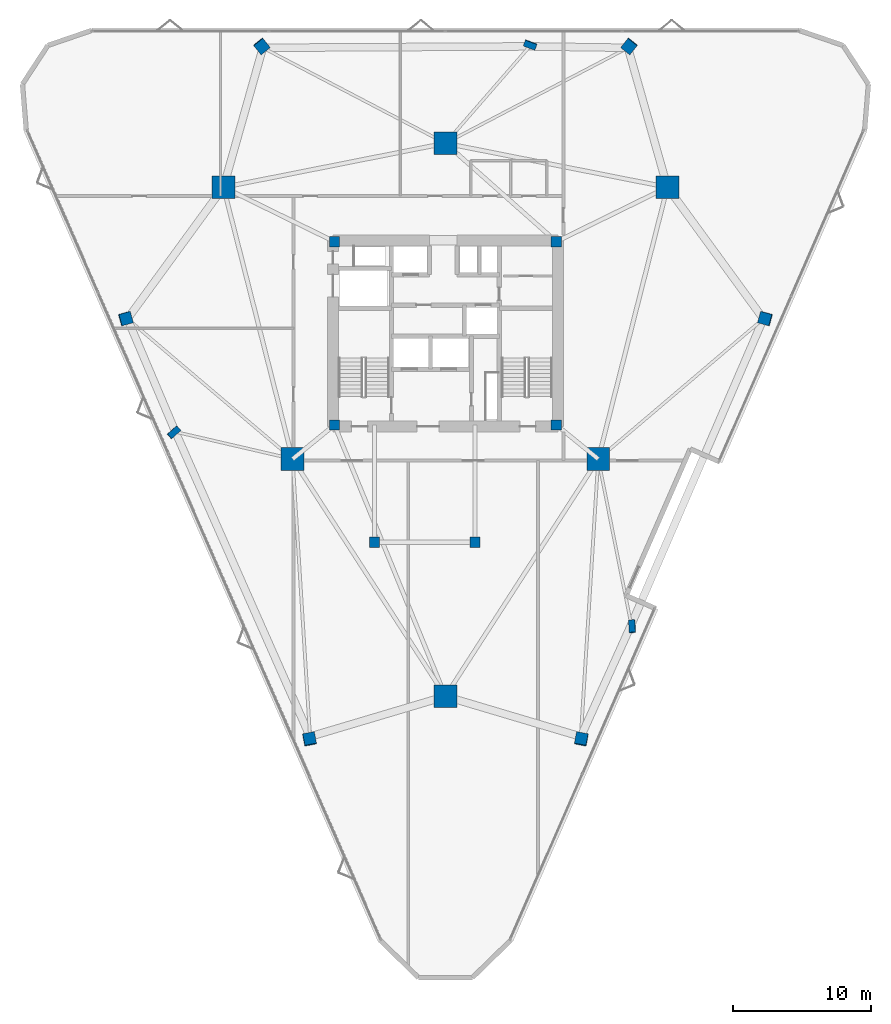
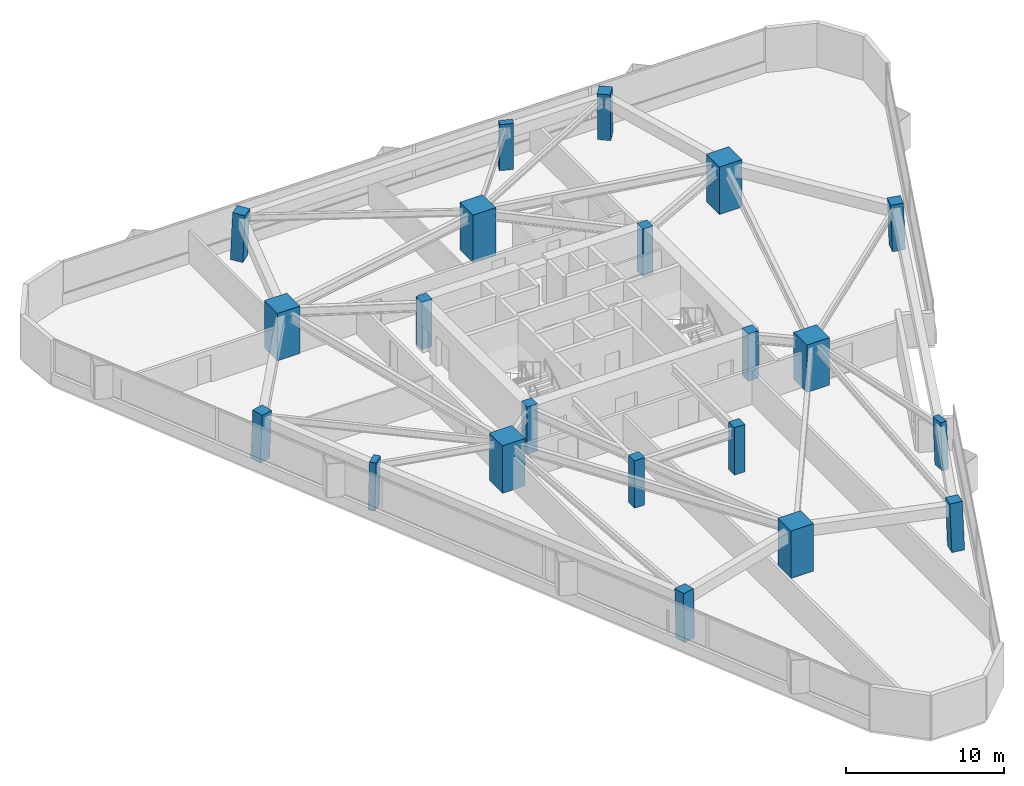
# One storey, part 1 of 13: 21 columns.
"""IFC4 building model written with IfcOpenShell, lengths in metres."""

from ifc_helpers import new_model, si_unit, direction, frame, origin, origin_2d, place, context, subcontext, project, spatial, rectangle, extrude, material, material_profile, profile_set, type_object, element, save


model = new_model("IFC4")

# Units and contexts
model_context = context("Model", 3, precision=1e-05, world=origin(), true_north=direction((0.0, 1.0)))
body_context = subcontext(model_context, "Body", "Model", "MODEL_VIEW")
ifc_project = project(units=[si_unit("LENGTHUNIT", "METRE"), si_unit("AREAUNIT", "SQUARE_METRE"), si_unit("VOLUMEUNIT", "CUBIC_METRE"), si_unit("PLANEANGLEUNIT", "RADIAN"), si_unit("MASSUNIT", "GRAM", prefix="KILO")], contexts=[model_context])

# Site, building, storey
site_placement = place(None, origin())
site = spatial("IfcSite", under=ifc_project, at=site_placement, CompositionType="ELEMENT")
building_placement = place(site_placement, origin())
building = spatial("IfcBuilding", under=site, at=building_placement, Name="Talyreon Biosciences Tower", CompositionType="ELEMENT")
storey_placement = place(building_placement, frame((0.0, 0.0, 104.199951171875)))
storey = spatial("IfcBuildingStorey", under=building, at=storey_placement, Name="L27", CompositionType="ELEMENT", Elevation=104.199951171875)

# Columns
ifc_material_1 = material(Name="Precast concrete C45/55", Category="concrete")
ifc_material_profile_1 = material_profile(ifc_material_1, rectangle(XDim=0.89990234375, YDim=0.449951171875, at=origin_2d()), Name="RC 900x450")
ifc_profile_set_1 = profile_set([ifc_material_profile_1], Name="Precast concrete C45/55")
column_type_1 = type_object("IfcColumnType", Name="FacadePilaster_900x450", PredefinedType="PILASTER", material=ifc_profile_set_1)
column_1_placement = place(storey_placement, frame((79.55126953125, 46.72314453125, 0.0029296875), z_axis=(-0.019612004119, 0.038286915892, 0.999074312234), x_axis=(0.061031806467, -0.997357131264, 0.039419174486)))
element("IfcColumn", 1, at=column_1_placement, inside=storey, type_object=column_type_1, Name="L27 Facade Pilaster PL-SE", PredefinedType="PILASTER", context=body_context, shape_type="SweptSolid", body=[
    extrude(rectangle(XDim=0.89990234375, YDim=0.449951171875, at=origin_2d()), origin(), (0.0, 0.0, 1.0), 3.6474609375),
])
column_2_placement = place(storey_placement, frame((72.156982421875, 88.9365234375, 0.0029296875), z_axis=(-0.012386580681, -0.033477245085, 0.999362720278), x_axis=(-0.937861842681, 0.347008881792, 0.0)))
element("IfcColumn", 2, at=column_2_placement, inside=storey, type_object=column_type_1, Name="L27 Facade Pilaster PL-N", PredefinedType="PILASTER", context=body_context, shape_type="SweptSolid", body=[
    extrude(rectangle(XDim=0.89990234375, YDim=0.449951171875, at=origin_2d()), origin(), (0.0, 0.0, 1.0), 3.646484375),
])
column_3_placement = place(storey_placement, frame((46.291748046875, 60.814208984375, 0.0029296875), z_axis=(0.032006454348, 0.010579539303, 0.999431668614), x_axis=(0.743898772973, 0.667578037911, -0.030889785842)))
element("IfcColumn", 3, at=column_3_placement, inside=storey, type_object=column_type_1, Name="L27 Facade Pilaster PL-SW", PredefinedType="PILASTER", context=body_context, shape_type="SweptSolid", body=[
    extrude(rectangle(XDim=0.89990234375, YDim=0.449951171875, at=origin_2d()), origin(), (0.0, 0.0, 1.0), 3.64599609375),
])
ifc_material_2 = material(Name="Concrete C60/75", Category="concrete")
ifc_material_profile_2 = material_profile(ifc_material_2, rectangle(XDim=1.64990234375, YDim=1.64990234375, at=origin_2d()), Name="RC 1650x1650")
ifc_profile_set_2 = profile_set([ifc_material_profile_2], Name="Concrete C60/75")
column_type_2 = type_object("IfcColumnType", Name="MegaColumn_1650", PredefinedType="COLUMN", material=ifc_profile_set_2)
for number, where, z_axis, x_axis, name in (
    (4, (66.0, 41.6669921875, 0.0), (0.0, 0.0, 1.0), (1.0, 0.0, 0.0), "L27 Composite Mega-Column MC1"),
    (5, (82.102294921875, 78.5986328125, 0.0), (0.0, 0.0, 1.0), (1.0, 0.0, 0.0), "L27 Composite Mega-Column MC2"),
    (6, (49.897705078125, 78.5986328125, 0.0), (0.0, 0.0, 1.0), (1.0, 0.0, 0.0), "L27 Composite Mega-Column MC3"),
    (7, (77.086181640625, 58.88037109375, 0.0), (0.0, 0.0, 1.0), (1.0, 0.0, 0.0), "L27 Composite Mega-Column MC4"),
    (8, (66.0, 81.788818359375, 0.0), (0.0, 0.0, 1.0), (1.0, 0.0, 0.0), "L27 Composite Mega-Column MC5"),
    (9, (54.913818359375, 58.88037109375, 0.0), (0.0, 0.0, 1.0), (1.0, 0.0, 0.0), "L27 Composite Mega-Column MC6"),
):
    element("IfcColumn", number, at=place(storey_placement, frame(where, z_axis=z_axis, x_axis=x_axis)), inside=storey, type_object=column_type_2, Name=name, PredefinedType="COLUMN", context=body_context, shape_type="SweptSolid", body=[
        extrude(rectangle(XDim=1.64990234375, YDim=1.64990234375, at=origin_2d()), origin(), (0.0, 0.0, 1.0), 3.650146484375),
    ])
ifc_material_3 = material(Name="Concrete C50/60", Category="concrete")
ifc_material_profile_3 = material_profile(ifc_material_3, rectangle(XDim=0.75, YDim=0.75, at=origin_2d()), Name="RC 750x750")
ifc_profile_set_3 = profile_set([ifc_material_profile_3], Name="Concrete C50/60")
column_type_3 = type_object("IfcColumnType", Name="PerimeterColumn_750", PredefinedType="COLUMN", material=ifc_profile_set_3)
for number, where, z_axis, x_axis, name in (
    (10, (57.949951171875, 61.35009765625, 0.0), (0.0, 0.0, 1.0), (1.0, 0.0, 0.0), "L27 Core Column CC1"),
    (11, (74.050048828125, 61.35009765625, 0.0), (0.0, 0.0, 1.0), (1.0, 0.0, 0.0), "L27 Core Column CC2"),
    (12, (74.050048828125, 74.64990234375, 0.0), (0.0, 0.0, 1.0), (1.0, 0.0, 0.0), "L27 Core Column CC3"),
    (13, (57.949951171875, 74.64990234375, 0.0), (0.0, 0.0, 1.0), (1.0, 0.0, 0.0), "L27 Core Column CC4"),
    (14, (60.85009765625, 52.840087890625, 0.0), (0.0, 0.0, 1.0), (1.0, 0.0, 0.0), "L27 Core Column CSW"),
    (15, (68.14990234375, 52.840087890625, 0.0), (0.0, 0.0, 1.0), (1.0, 0.0, 0.0), "L27 Core Column CSE"),
):
    element("IfcColumn", number, at=place(storey_placement, frame(where, z_axis=z_axis, x_axis=x_axis)), inside=storey, type_object=column_type_3, Name=name, PredefinedType="COLUMN", context=body_context, shape_type="SweptSolid", body=[
        extrude(rectangle(XDim=0.75, YDim=0.75, at=origin_2d()), origin(), (0.0, 0.0, 1.0), 3.650146484375),
    ])
ifc_material_profile_4 = material_profile(ifc_material_2, rectangle(XDim=0.85009765625, YDim=0.85009765625, at=origin_2d()), Name="RC 850x850")
ifc_profile_set_4 = profile_set([ifc_material_profile_4], Name="Concrete C60/75")
column_type_4 = type_object("IfcColumnType", Name="PerimeterColumn_850", PredefinedType="COLUMN", material=ifc_profile_set_4)
column_4_placement = place(storey_placement, frame((75.8681640625, 38.54345703125, 0.0029296875), z_axis=(-0.012375141264, 0.054450621561, 0.998439775695), x_axis=(-0.187659318502, -0.980900504145, 0.051168165379)))
element("IfcColumn", 16, at=column_4_placement, inside=storey, type_object=column_type_4, Name="L27 Tapering Perimeter Column PC-SE1", PredefinedType="COLUMN", context=body_context, shape_type="SweptSolid", body=[
    extrude(rectangle(XDim=0.85009765625, YDim=0.85009765625, at=origin_2d()), origin(), (0.0, 0.0, 1.0), 3.649658203125),
])
column_5_placement = place(storey_placement, frame((89.208251953125, 69.073974609375, 0.0029296875), z_axis=(-0.039296349527, -0.005623327701, 0.999211776902), x_axis=(0.96311000275, -0.266638163532, 0.036375985922)))
element("IfcColumn", 17, at=column_5_placement, inside=storey, type_object=column_type_4, Name="L27 Tapering Perimeter Column PC-SE2", PredefinedType="COLUMN", context=body_context, shape_type="SweptSolid", body=[
    extrude(rectangle(XDim=0.85009765625, YDim=0.85009765625, at=origin_2d()), origin(), (0.0, 0.0, 1.0), 3.64697265625),
])
for number, where, z_axis, x_axis, name in (
    (18, (79.340087890625, 88.836669921875, 0.0029296875), (-0.026907963191, -0.033534551141, 0.999075270136), (-0.779956681152, 0.625833504637, 0.0), "L27 Tapering Perimeter Column PC-N1"),
    (19, (52.659912109375, 88.836669921875, 0.0029296875), (0.026907963191, -0.033534551141, 0.999075270136), (-0.779956681152, -0.625833504637, 0.0), "L27 Tapering Perimeter Column PC-N2"),
):
    element("IfcColumn", number, at=place(storey_placement, frame(where, z_axis=z_axis, x_axis=x_axis)), inside=storey, type_object=column_type_4, Name=name, PredefinedType="COLUMN", context=body_context, shape_type="SweptSolid", body=[
        extrude(rectangle(XDim=0.85009765625, YDim=0.85009765625, at=origin_2d()), origin(), (0.0, 0.0, 1.0), 3.6474609375),
    ])
column_6_placement = place(storey_placement, frame((42.791748046875, 69.073974609375, 0.0029296875), z_axis=(0.039296349527, -0.005623327701, 0.999211776902), x_axis=(0.96311000275, 0.266638163532, -0.036375985922)))
element("IfcColumn", 20, at=column_6_placement, inside=storey, type_object=column_type_4, Name="L27 Tapering Perimeter Column PC-SW1", PredefinedType="COLUMN", context=body_context, shape_type="SweptSolid", body=[
    extrude(rectangle(XDim=0.85009765625, YDim=0.85009765625, at=origin_2d()), origin(), (0.0, 0.0, 1.0), 3.64697265625),
])
column_7_placement = place(storey_placement, frame((56.1318359375, 38.54345703125, 0.0029296875), z_axis=(0.012375141264, 0.054450621561, 0.998439775695), x_axis=(-0.187659318502, 0.980900504145, -0.051168165379)))
element("IfcColumn", 21, at=column_7_placement, inside=storey, type_object=column_type_4, Name="L27 Tapering Perimeter Column PC-SW2", PredefinedType="COLUMN", context=body_context, shape_type="SweptSolid", body=[
    extrude(rectangle(XDim=0.85009765625, YDim=0.85009765625, at=origin_2d()), origin(), (0.0, 0.0, 1.0), 3.649658203125),
])

save(model, "model.ifc")
